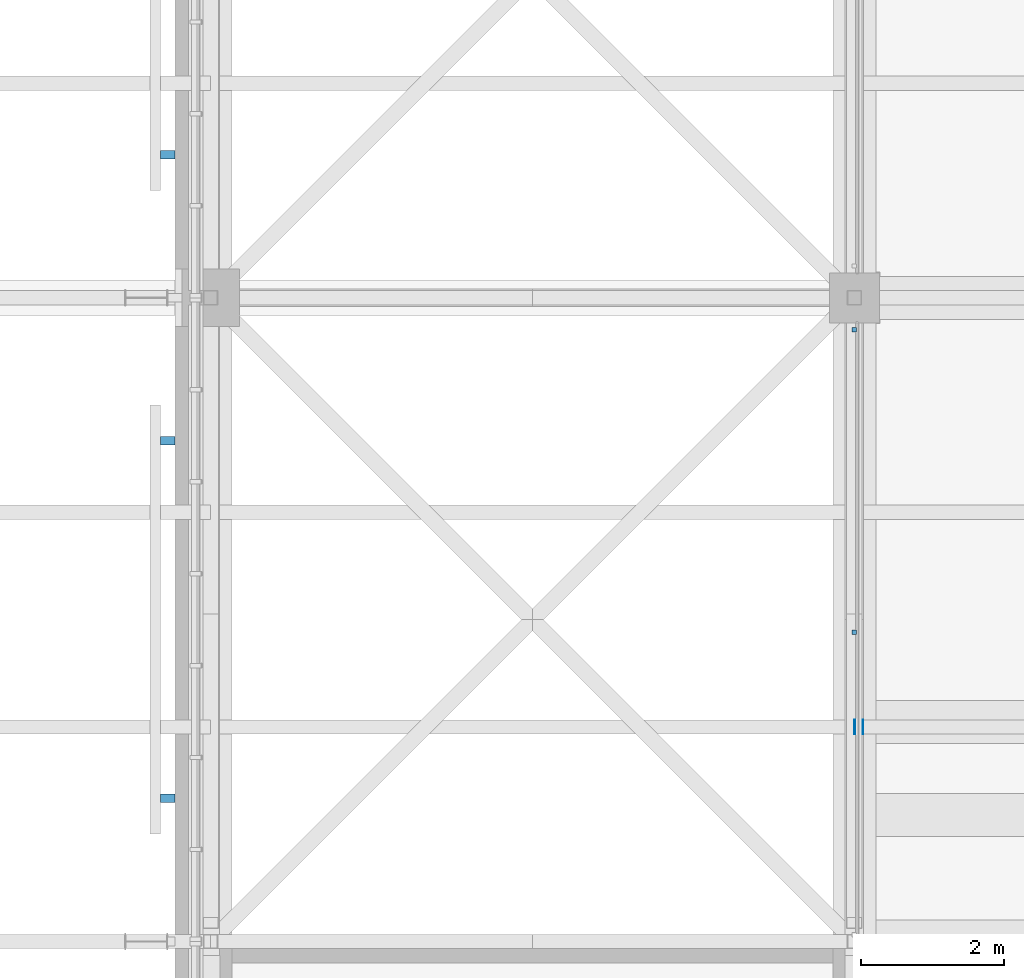
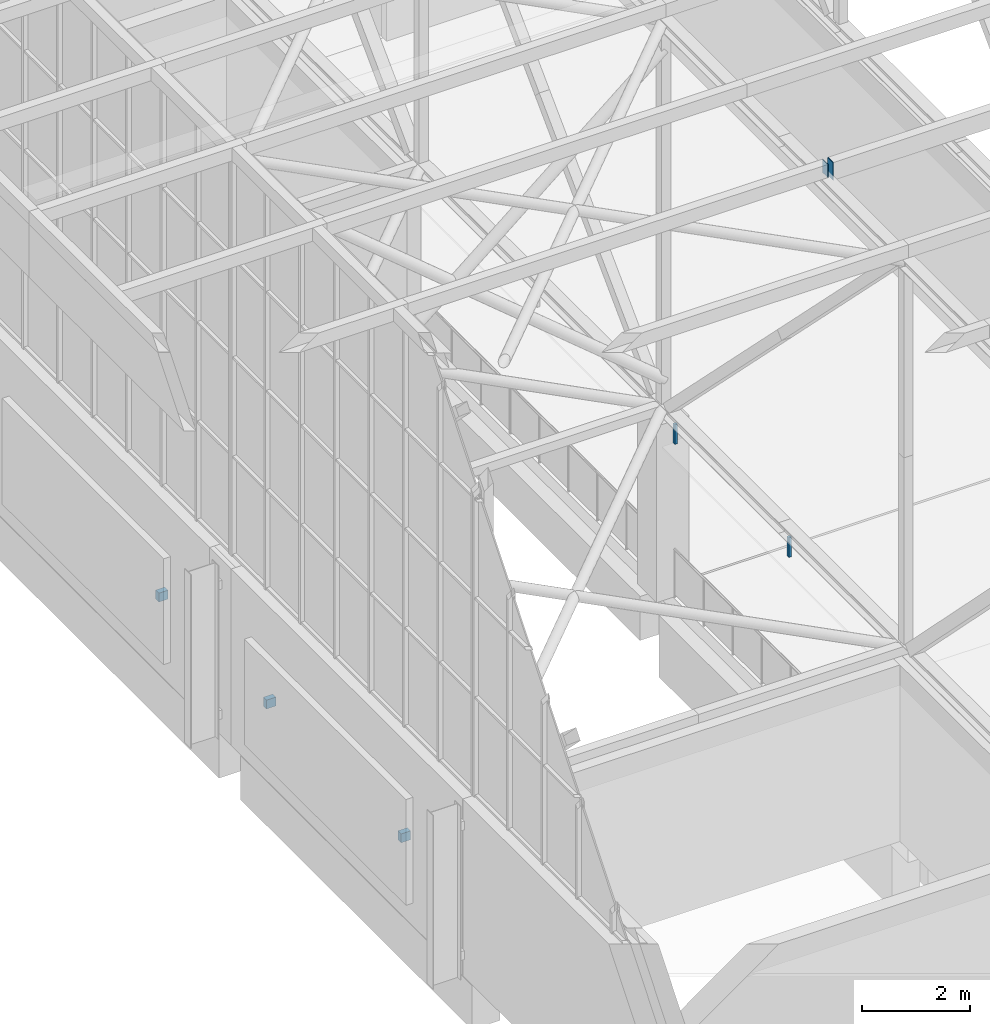
# One storey, part 194 of 646: 7 discrete accessories.
"""IFC4 building model written with IfcOpenShell, lengths in metres."""

from ifc_helpers import new_model, si_unit, direction, frame, origin, origin_2d, place, context, subcontext, project, spatial, rectangle, extrude, material, layer, layer_set, type_object, element, save


model = new_model("IFC4")

# Units and contexts
model_context = context("Model", 3, precision=1e-05, world=origin(), true_north=direction((0.0, 1.0)))
body_context = subcontext(model_context, "Body", "Model", "MODEL_VIEW")
ifc_project = project(units=[si_unit("LENGTHUNIT", "METRE"), si_unit("AREAUNIT", "SQUARE_METRE"), si_unit("VOLUMEUNIT", "CUBIC_METRE"), si_unit("PLANEANGLEUNIT", "RADIAN"), si_unit("MASSUNIT", "GRAM", prefix="KILO")], contexts=[model_context])

# Site, building, storey
site_placement = place(None, origin())
site = spatial("IfcSite", under=ifc_project, at=site_placement, CompositionType="ELEMENT")
building_placement = place(site_placement, origin())
building = spatial("IfcBuilding", under=site, at=building_placement, Name="Silverbay Arena", CompositionType="ELEMENT")
storey_placement = place(building_placement, frame((0.0, 0.0, 33.5)))
storey = spatial("IfcBuildingStorey", under=building, at=storey_placement, Name="L05", CompositionType="ELEMENT", Elevation=33.5)

# Discrete accessories
ifc_material_1 = material(Name="Steel S355", Category="steel")
discrete_accessory_type_1 = type_object("IfcDiscreteAccessoryType", Name="Ceiling hanger", PredefinedType="BRACKET", material=ifc_material_1)
for number, where, z_axis, x_axis, name in (
    (1, (63.0, 76.324951171875, 3.5498046875), (0.0, 0.0, 1.0), (1.0, 0.0, 0.0), "Ceiling hanger"),
    (2, (63.0, 80.554931640625, 3.5498046875), (0.0, 0.0, 1.0), (1.0, 0.0, 0.0), "Ceiling hanger"),
):
    element("IfcDiscreteAccessory", number, at=place(storey_placement, frame(where, z_axis=z_axis, x_axis=x_axis)), inside=storey, type_object=discrete_accessory_type_1, Name=name, PredefinedType="BRACKET", context=body_context, shape_type="SweptSolid", body=[
        extrude(rectangle(XDim=0.06005859375, YDim=0.06005859375, at=origin_2d()), origin(), (0.0, 0.0, 1.0), 0.449951171875),
    ])
ifc_material_2 = material(Name="Steel S355", Category="steel")
ifc_layer = layer(ifc_material_2, 0.011962890625)
ifc_layer_set = layer_set([ifc_layer], Name="Steel S355")
discrete_accessory_type_2 = type_object("IfcDiscreteAccessoryType", Name="Purlin end plate 12", PredefinedType="USERDEFINED", material=ifc_layer_set)
discrete_accessory_1_placement = place(storey_placement, frame((63.0, 75.0, 13.14990234375), z_axis=(1.0, 0.0, 0.0), x_axis=(0.0, 1.0, 0.0)))
element("IfcDiscreteAccessory", 3, at=discrete_accessory_1_placement, inside=storey, type_object=discrete_accessory_type_2, Name="Purlin end plate", ObjectType="END PLATE", PredefinedType="USERDEFINED", context=body_context, shape_type="SweptSolid", body=[
    extrude(rectangle(XDim=0.199951171875, YDim=0.300048828125, at=origin_2d()), origin(), (0.0, 0.0, 1.0), 0.011962890625),
])
discrete_accessory_2_placement = place(storey_placement, frame((63.127197265625, 75.0, 13.10009765625), z_axis=(-1.0, 0.0, 0.0), x_axis=(0.0, -1.0, 0.0)))
element("IfcDiscreteAccessory", 4, at=discrete_accessory_2_placement, inside=storey, type_object=discrete_accessory_type_2, Name="Purlin end plate", ObjectType="END PLATE", PredefinedType="USERDEFINED", context=body_context, shape_type="SweptSolid", body=[
    extrude(rectangle(XDim=0.199951171875, YDim=0.39990234375, at=origin_2d()), origin(), (0.0, 0.0, 1.0), 0.011962890625),
])
ifc_material_3 = material(Name="Steel S355", Category="steel")
discrete_accessory_type_3 = type_object("IfcDiscreteAccessoryType", Name="Steel bracket plate", PredefinedType="BRACKET", material=ifc_material_3)
for number, where, z_axis, x_axis, name in (
    (5, (53.39990234375, 74.0, 1.89990234375), (0.0, 0.0, 1.0), (0.0, 1.0, 0.0), "Louvre support bracket"),
    (6, (53.39990234375, 79.0, 1.89990234375), (0.0, 0.0, 1.0), (0.0, 1.0, 0.0), "Louvre support bracket"),
    (7, (53.39990234375, 83.0, 1.89990234375), (0.0, 0.0, 1.0), (0.0, 1.0, 0.0), "Louvre support bracket"),
):
    element("IfcDiscreteAccessory", number, at=place(storey_placement, frame(where, z_axis=z_axis, x_axis=x_axis)), inside=storey, type_object=discrete_accessory_type_3, Name=name, PredefinedType="BRACKET", context=body_context, shape_type="SweptSolid", body=[
        extrude(rectangle(XDim=0.1201171875, YDim=0.199951171875, at=origin_2d()), origin(), (0.0, 0.0, 1.0), 0.199951171875),
    ])

save(model, "model.ifc")
